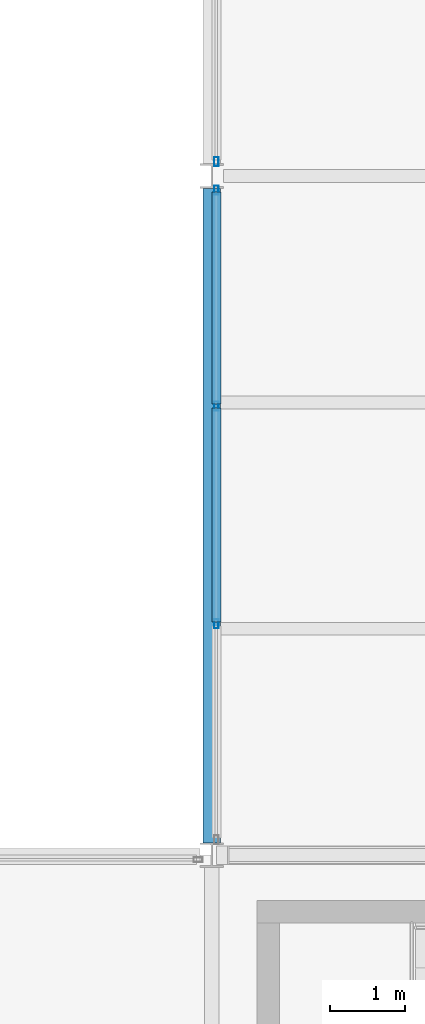
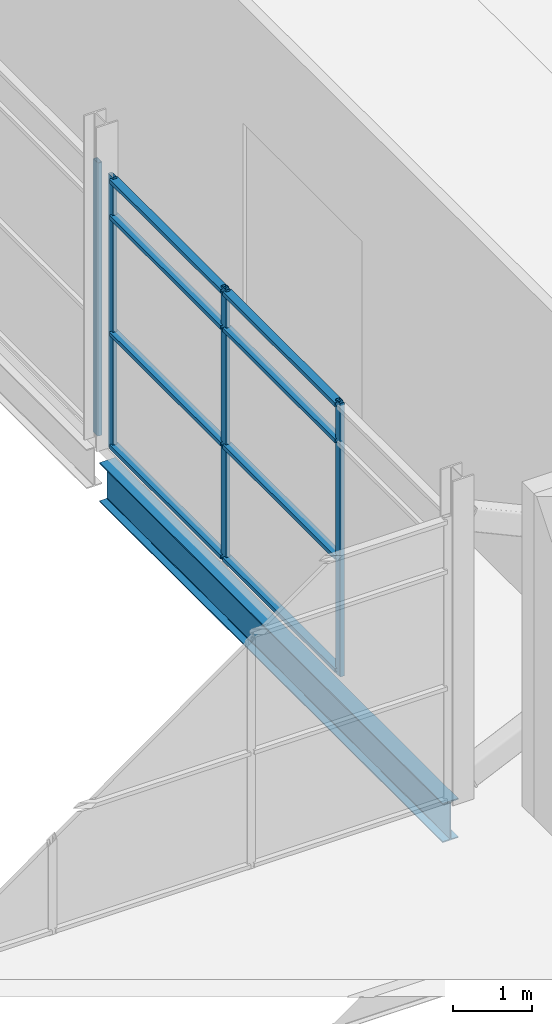
# One storey, part 50 of 112: 12 members, 1 beam, 2 elements without a shape of their own.
"""IFC4 building model written with IfcOpenShell, lengths in metres."""

import ifcopenshell
import ifcopenshell.guid

model = None  # the IFC model being written
_history = None  # IfcOwnerHistory: only IFC2X3 demands one
_inside = {}  # id of a spatial element -> (the spatial element, [elements in it])
_under = {}  # id of a project, library or spatial element -> (it, [spatial elements below it])
_declared = {}  # id of a project -> (the project, [libraries it declares])
_typed = {}  # id of a type object -> (the type object, [elements of that type])
_made_of = {}  # id of a material, layer set ... -> (it, [elements and type objects made of it])


def new_model(schema):
    """Start an empty IFC model of exactly this schema.

    Asked for "IFC4X3", IfcOpenShell would pick the latest addendum, in which some entities
    have other attributes; the version numbers below select the first issue.
    IFC2X3 requires an IfcOwnerHistory on every rooted entity: one is made here for all.
    """
    global model, _history
    if schema == "IFC4X3":
        model = ifcopenshell.file(schema_version=(4, 3, 0, 0))
    else:
        model = ifcopenshell.file(schema=schema)
    _inside.clear()
    _under.clear()
    _declared.clear()
    _typed.clear()
    _made_of.clear()
    _history = None
    if model.schema == "IFC2X3":
        org = make("IfcOrganization", Name="unknown")
        user = make(
            "IfcPersonAndOrganization",
            ThePerson=make("IfcPerson", FamilyName="unknown"),
            TheOrganization=org,
        )
        app = make(
            "IfcApplication",
            ApplicationDeveloper=org,
            Version="unknown",
            ApplicationFullName="unknown",
            ApplicationIdentifier="unknown",
        )
        _history = make(
            "IfcOwnerHistory",
            OwningUser=user,
            OwningApplication=app,
            ChangeAction="ADDED",
            CreationDate=0,
        )
    return model


def make(cls, **values):
    """One entity of the class cls with the attributes given. An attribute that is None is left unset."""
    return model.create_entity(
        cls, **{name: value for name, value in values.items() if value is not None}
    )


def rooted(cls, **values):
    """An entity with a GlobalId (a new one), such as an element, a storey or a relation."""
    return make(cls, GlobalId=ifcopenshell.guid.new(), OwnerHistory=_history, **values)


def si_unit(unit_type, name, prefix=None):
    """IfcSIUnit, for example si_unit("LENGTHUNIT", "METRE", prefix="MILLI")."""
    return make("IfcSIUnit", UnitType=unit_type, Prefix=prefix, Name=name)


def assignment(units):
    """IfcUnitAssignment: the units of a project."""
    return None if units is None else make("IfcUnitAssignment", Units=units)


def point(xyz):
    """IfcCartesianPoint."""
    return None if xyz is None else make("IfcCartesianPoint", Coordinates=xyz)


def direction(xyz):
    """IfcDirection."""
    return None if xyz is None else make("IfcDirection", DirectionRatios=xyz)


def frame(location, z_axis=None, x_axis=None):
    """IfcAxis2Placement3D, a coordinate frame: its origin and axes. An axis left out is left unset."""
    return make(
        "IfcAxis2Placement3D",
        Location=point(location),
        Axis=direction(z_axis),
        RefDirection=direction(x_axis),
    )


def frame_2d(location, x_axis=None):
    """IfcAxis2Placement2D, a coordinate frame in the plane: its origin and x axis."""
    return make(
        "IfcAxis2Placement2D", Location=point(location), RefDirection=direction(x_axis)
    )


def origin():
    """The frame at (0, 0, 0) with its axes left unset."""
    return frame((0.0, 0.0, 0.0))


def origin_2d():
    """The frame at (0, 0) in the plane with its x axis left unset."""
    return frame_2d((0.0, 0.0))


def place(relative_to, where):
    """IfcLocalPlacement: puts the frame where relative to a parent placement (None: the world)."""
    return make(
        "IfcLocalPlacement", PlacementRelTo=relative_to, RelativePlacement=where
    )


def context(
    kind, dimensions, precision=None, world=None, true_north=None, identifier=None
):
    """IfcGeometricRepresentationContext, for example the 3D "Model" context."""
    return make(
        "IfcGeometricRepresentationContext",
        ContextIdentifier=identifier,
        ContextType=kind,
        CoordinateSpaceDimension=dimensions,
        Precision=precision,
        WorldCoordinateSystem=world,
        TrueNorth=true_north,
    )


def subcontext(parent, identifier, kind, view, scale=None):
    """IfcGeometricRepresentationSubContext, for example "Body" below "Model"."""
    return make(
        "IfcGeometricRepresentationSubContext",
        ContextIdentifier=identifier,
        ContextType=kind,
        ParentContext=parent,
        TargetScale=scale,
        TargetView=view,
    )


def project(units=None, contexts=None):
    """IfcProject with its units and contexts."""
    return rooted(
        "IfcProject",
        Name="project",
        RepresentationContexts=contexts,
        UnitsInContext=assignment(units),
    )


def spatial(cls, under=None, at=None, **own):
    """A site, building, storey or space (cls), placed at a placement, below another one or the project."""
    s = rooted(cls, ObjectPlacement=at, **own)
    if under is not None:
        _under.setdefault(under.id(), (under, []))[1].append(s)
    return s


def profile(cls, at=None, kind="AREA", **sizes):
    """A parametric profile (cls). Its sizes go by their IFC names, for example OverallWidth=200.0."""
    return make(cls, ProfileType=kind, Position=at, **sizes)


def hollow_rectangle(**sizes):
    """IfcRectangleHollowProfileDef."""
    return profile("IfcRectangleHollowProfileDef", **sizes)


def i_section(**sizes):
    """IfcIShapeProfileDef."""
    return profile("IfcIShapeProfileDef", **sizes)


def extrude(swept, where, along, depth):
    """IfcExtrudedAreaSolid: the profile swept, set in the frame where, extruded along a direction by depth."""
    return make(
        "IfcExtrudedAreaSolid",
        SweptArea=swept,
        Position=where,
        ExtrudedDirection=direction(along),
        Depth=depth,
    )


def shape(context_of_items, identifier, shape_type, items):
    """IfcShapeRepresentation: the items that make up one representation, for example the "Body"."""
    return make(
        "IfcShapeRepresentation",
        ContextOfItems=context_of_items,
        RepresentationIdentifier=identifier,
        RepresentationType=shape_type,
        Items=items,
    )


def material(Name=None, Category=None):
    """IfcMaterial."""
    return make("IfcMaterial", Name=Name, Category=Category)


def layer(
    of_material, thickness, ventilated=None, Name=None, Category=None, Priority=None
):
    """IfcMaterialLayer: one layer of a wall or slab, of a material (None: an air gap)."""
    return make(
        "IfcMaterialLayer",
        Material=of_material,
        LayerThickness=thickness,
        IsVentilated=ventilated,
        Name=Name,
        Category=Category,
        Priority=Priority,
    )


def layer_set(layers, Name=None):
    """IfcMaterialLayerSet."""
    return make("IfcMaterialLayerSet", MaterialLayers=layers, LayerSetName=Name)


def material_profile(
    of_material, cross_section, Name=None, Category=None, Priority=None
):
    """IfcMaterialProfile: a cross section and its material."""
    return make(
        "IfcMaterialProfile",
        Name=Name,
        Material=of_material,
        Profile=cross_section,
        Priority=Priority,
        Category=Category,
    )


def profile_set(profiles, Name=None, composite=None):
    """IfcMaterialProfileSet."""
    return make(
        "IfcMaterialProfileSet",
        Name=Name,
        MaterialProfiles=profiles,
        CompositeProfile=composite,
    )


def made_of(thing, what):
    """Note that an element or type object is made of a material, layer set ...; save() writes the relation."""
    if what is not None:
        _made_of.setdefault(what.id(), (what, []))[1].append(thing)
    return thing


def type_object(cls, material=None, **own):
    """A type object (cls), such as IfcWallType, which elements share."""
    return made_of(rooted(cls, **own), material)


def element(
    cls,
    number,
    at=None,
    inside=None,
    cuts=None,
    type_object=None,
    material=None,
    context=None,
    identifier="Body",
    shape_type=None,
    held_by="IfcProductDefinitionShape",
    body=None,
    shapes=None,
    **own,
):
    """One element of the class cls, such as IfcWall. Its Tag is "e" and its number.

    at: its placement. inside: the storey or other place that contains it. cuts: it is an
    opening in that element (IfcRelVoidsElement). A single representation is given by context,
    identifier, shape_type and body (its items); several are given by shapes. held_by: the class
    of the entity that holds the representations. save() writes the other relations.
    """
    e = rooted(cls, Tag="e%d" % number, ObjectPlacement=at, **own)
    if body is not None:
        shapes = [shape(context, identifier, shape_type, body)]
    if shapes is not None:
        e.Representation = make(held_by, Representations=shapes)
    if inside is not None:
        _inside.setdefault(inside.id(), (inside, []))[1].append(e)
    if cuts is not None:
        rooted(
            "IfcRelVoidsElement", RelatingBuildingElement=cuts, RelatedOpeningElement=e
        )
    if type_object is not None:
        _typed.setdefault(type_object.id(), (type_object, []))[1].append(e)
    return made_of(e, material)


def aggregate(whole, parts):
    """IfcRelAggregates: a whole, such as a stair, and the parts it consists of."""
    return rooted("IfcRelAggregates", RelatingObject=whole, RelatedObjects=parts)


def save(model, path):
    """Write the relations noted so far, then the file.

    IfcRelAggregates (storeys below a building ...), IfcRelContainedInSpatialStructure (elements
    in a storey), IfcRelDefinesByType, IfcRelAssociatesMaterial and IfcRelDeclares: one each for
    every whole, place, type object, material and project.
    """
    for whole, parts in _under.values():
        aggregate(whole, parts)
    for where, things in _inside.values():
        rooted(
            "IfcRelContainedInSpatialStructure",
            RelatedElements=things,
            RelatingStructure=where,
        )
    for kind, things in _typed.values():
        rooted("IfcRelDefinesByType", RelatedObjects=things, RelatingType=kind)
    for what, things in _made_of.values():
        rooted("IfcRelAssociatesMaterial", RelatedObjects=things, RelatingMaterial=what)
    for by, libraries in _declared.values():
        rooted("IfcRelDeclares", RelatingContext=by, RelatedDefinitions=libraries)
    model.write(path)


model = new_model("IFC4")

# Units and contexts
model_context = context("Model", 3, precision=1e-05, world=origin(), true_north=direction((0.0, 1.0)))
body_context = subcontext(model_context, "Body", "Model", "MODEL_VIEW")
ifc_project = project(units=[si_unit("LENGTHUNIT", "METRE"), si_unit("AREAUNIT", "SQUARE_METRE"), si_unit("VOLUMEUNIT", "CUBIC_METRE"), si_unit("PLANEANGLEUNIT", "RADIAN"), si_unit("MASSUNIT", "GRAM", prefix="KILO")], contexts=[model_context])

# Site, building, storey
site_placement = place(None, origin())
site = spatial("IfcSite", under=ifc_project, at=site_placement, CompositionType="ELEMENT")
building_placement = place(site_placement, origin())
building = spatial("IfcBuilding", under=site, at=building_placement, Name="Shorebreak Coast Museum", CompositionType="ELEMENT")
storey_placement = place(building_placement, frame((0.0, 0.0, 6.0)))
storey = spatial("IfcBuildingStorey", under=building, at=storey_placement, Name="L01", CompositionType="ELEMENT", Elevation=6.0)

# Beam
ifc_material_1 = material(Name="Steel Grade 300", Category="steel")
ifc_material_profile_1 = material_profile(ifc_material_1, i_section(OverallWidth=0.22802734375, OverallDepth=0.60693359375, WebThickness=0.01123046875, FlangeThickness=0.017333984375, FilletRadius=0.013916015625, at=origin_2d()), Name="610UB113")
ifc_profile_set_1 = profile_set([ifc_material_profile_1], Name="Steel Grade 300")
beam_type = type_object("IfcBeamType", Name="Floor girder north-south 610UB113", PredefinedType="BEAM", material=ifc_profile_set_1)
beam_placement = place(storey_placement, frame((108.0, 63.16357421875, -0.478515625), z_axis=(0.0, 1.0, 0.0), x_axis=(-1.0, 0.0, 0.0)))
element("IfcBeam", 1, at=beam_placement, inside=storey, type_object=beam_type, Name="Floor girder north-south L01 13H", PredefinedType="BEAM", context=body_context, shape_type="SweptSolid", body=[
    extrude(i_section(OverallWidth=0.22802734375, OverallDepth=0.60693359375, WebThickness=0.01123046875, FlangeThickness=0.017333984375, FilletRadius=0.013916015625, at=origin_2d()), origin(), (0.0, 0.0, 1.0), 8.6728515625),
])

# Curtain wall, members
ifc_material_2 = material(Name="Aluminium", Category="aluminium")
ifc_layer = layer(ifc_material_2, 0.1201171875)
ifc_layer_set = layer_set([ifc_layer], Name="Aluminium")
curtain_wall_type = type_object("IfcCurtainWallType", Name="Atrium fire screen", PredefinedType="NOTDEFINED", material=ifc_layer_set)
curtain_wall_1_placement = place(storey_placement, origin())
curtain_wall_1 = element("IfcCurtainWall", 2, at=curtain_wall_1_placement, inside=storey, type_object=curtain_wall_type, Name="Atrium screen L01 E 14", PredefinedType="NOTDEFINED")
ifc_material_3 = material(Name="Aluminium", Category="aluminium")
ifc_material_profile_2 = material_profile(ifc_material_3, hollow_rectangle(XDim=0.06005859375, YDim=0.1201171875, WallThickness=0.00341796875, at=origin_2d()), Name="AL 120x60 RHS")
ifc_profile_set_2 = profile_set([ifc_material_profile_2], Name="Aluminium")
member_type_1 = type_object("IfcMemberType", Name="Screen mullion 50 x 120", PredefinedType="MULLION", material=ifc_profile_set_2)
member_1_placement = place(storey_placement, frame((108.06005859375, 66.06396484375, 0.0), z_axis=(0.0, 0.0, 1.0), x_axis=(-1.0, 0.0, 0.0)))
member_1 = element("IfcMember", 3, at=member_1_placement, type_object=member_type_1, Name="CW6 mullion 2", PredefinedType="MULLION", context=body_context, shape_type="SweptSolid", body=[
    extrude(hollow_rectangle(XDim=0.06005859375, YDim=0.1201171875, WallThickness=0.00341796875, at=origin_2d()), origin(), (0.0, 0.0, 1.0), 4.218017578125),
])
member_2_placement = place(storey_placement, frame((108.06005859375, 68.9501953125, 0.0), z_axis=(0.0, 0.0, 1.0), x_axis=(-1.0, 0.0, 0.0)))
member_2 = element("IfcMember", 4, at=member_2_placement, type_object=member_type_1, Name="CW6 mullion 3", PredefinedType="MULLION", context=body_context, shape_type="SweptSolid", body=[
    extrude(hollow_rectangle(XDim=0.06005859375, YDim=0.1201171875, WallThickness=0.00341796875, at=origin_2d()), origin(), (0.0, 0.0, 1.0), 4.218017578125),
])
member_3_placement = place(storey_placement, frame((108.06005859375, 71.811279296875, 0.0), z_axis=(0.0, 0.0, 1.0), x_axis=(-1.0, 0.0, 0.0)))
member_3 = element("IfcMember", 5, at=member_3_placement, type_object=member_type_1, Name="CW6 mullion 4", PredefinedType="MULLION", context=body_context, shape_type="SweptSolid", body=[
    extrude(hollow_rectangle(XDim=0.06005859375, YDim=0.1201171875, WallThickness=0.00341796875, at=origin_2d()), origin(), (0.0, 0.0, 1.0), 4.218017578125),
])

# Curtain wall, member
curtain_wall_2_placement = place(storey_placement, origin())
curtain_wall_2 = element("IfcCurtainWall", 6, at=curtain_wall_2_placement, inside=storey, type_object=curtain_wall_type, Name="Atrium screen L01 E 15", PredefinedType="NOTDEFINED")
member_4_placement = place(storey_placement, frame((108.06005859375, 72.188720703125, 0.0), z_axis=(0.0, 0.0, 1.0), x_axis=(-1.0, 0.0, 0.0)))
member_4 = element("IfcMember", 7, at=member_4_placement, type_object=member_type_1, Name="CW4 mullion 1", PredefinedType="MULLION", context=body_context, shape_type="SweptSolid", body=[
    extrude(hollow_rectangle(XDim=0.06005859375, YDim=0.1201171875, WallThickness=0.00341796875, at=origin_2d()), origin(), (0.0, 0.0, 1.0), 4.212890625),
])
aggregate(curtain_wall_2, [member_4])

# Member
ifc_material_4 = material(Name="Aluminium", Category="aluminium")
ifc_material_profile_3 = material_profile(ifc_material_4, hollow_rectangle(XDim=0.1201171875, YDim=0.06005859375, WallThickness=0.00341796875, at=origin_2d()), Name="AL 60x120 RHS")
ifc_profile_set_3 = profile_set([ifc_material_profile_3], Name="Aluminium")
member_type_2 = type_object("IfcMemberType", Name="Screen transom 120 x 50", PredefinedType="USERDEFINED", material=ifc_profile_set_3)
member_5_placement = place(storey_placement, frame((108.06005859375, 66.0888671875, 0.06005859375), z_axis=(0.0, 1.0, 0.0), x_axis=(-1.0, 0.0, 0.0)))
member_5 = element("IfcMember", 8, at=member_5_placement, type_object=member_type_2, Name="CW6 transom 2.1", ObjectType="TRANSOM", PredefinedType="USERDEFINED", context=body_context, shape_type="SweptSolid", body=[
    extrude(hollow_rectangle(XDim=0.1201171875, YDim=0.06005859375, WallThickness=0.00341796875, at=origin_2d()), origin(), (0.0, 0.0, 1.0), 2.836181640625),
])

member_6_placement = place(storey_placement, frame((108.06005859375, 66.0888671875, 1.800048828125), z_axis=(0.0, 1.0, 0.0), x_axis=(-1.0, 0.0, 0.0)))
member_6 = element("IfcMember", 9, at=member_6_placement, type_object=member_type_2, Name="CW6 transom 2.2", ObjectType="TRANSOM", PredefinedType="USERDEFINED", context=body_context, shape_type="SweptSolid", body=[
    extrude(hollow_rectangle(XDim=0.1201171875, YDim=0.06005859375, WallThickness=0.00341796875, at=origin_2d()), origin(), (0.0, 0.0, 1.0), 2.836181640625),
])

member_7_placement = place(storey_placement, frame((108.06005859375, 66.0888671875, 3.60009765625), z_axis=(0.0, 1.0, 0.0), x_axis=(-1.0, 0.0, 0.0)))
member_7 = element("IfcMember", 10, at=member_7_placement, type_object=member_type_2, Name="CW6 transom 2.3", ObjectType="TRANSOM", PredefinedType="USERDEFINED", context=body_context, shape_type="SweptSolid", body=[
    extrude(hollow_rectangle(XDim=0.1201171875, YDim=0.06005859375, WallThickness=0.00341796875, at=origin_2d()), origin(), (0.0, 0.0, 1.0), 2.836181640625),
])

member_8_placement = place(storey_placement, frame((108.06005859375, 66.0888671875, 4.157958984375), z_axis=(0.0, 1.0, 0.0), x_axis=(-1.0, 0.0, 0.0)))
member_8 = element("IfcMember", 11, at=member_8_placement, type_object=member_type_2, Name="CW6 transom 2.4", ObjectType="TRANSOM", PredefinedType="USERDEFINED", context=body_context, shape_type="SweptSolid", body=[
    extrude(hollow_rectangle(XDim=0.1201171875, YDim=0.06005859375, WallThickness=0.00341796875, at=origin_2d()), origin(), (0.0, 0.0, 1.0), 2.836181640625),
])

member_9_placement = place(storey_placement, frame((108.06005859375, 68.97509765625, 0.06005859375), z_axis=(0.0, 1.0, 0.0), x_axis=(-1.0, 0.0, 0.0)))
member_9 = element("IfcMember", 12, at=member_9_placement, type_object=member_type_2, Name="CW6 transom 3.1", ObjectType="TRANSOM", PredefinedType="USERDEFINED", context=body_context, shape_type="SweptSolid", body=[
    extrude(hollow_rectangle(XDim=0.1201171875, YDim=0.06005859375, WallThickness=0.00341796875, at=origin_2d()), origin(), (0.0, 0.0, 1.0), 2.811279296875),
])

member_10_placement = place(storey_placement, frame((108.06005859375, 68.97509765625, 1.800048828125), z_axis=(0.0, 1.0, 0.0), x_axis=(-1.0, 0.0, 0.0)))
member_10 = element("IfcMember", 13, at=member_10_placement, type_object=member_type_2, Name="CW6 transom 3.2", ObjectType="TRANSOM", PredefinedType="USERDEFINED", context=body_context, shape_type="SweptSolid", body=[
    extrude(hollow_rectangle(XDim=0.1201171875, YDim=0.06005859375, WallThickness=0.00341796875, at=origin_2d()), origin(), (0.0, 0.0, 1.0), 2.811279296875),
])

member_11_placement = place(storey_placement, frame((108.06005859375, 68.97509765625, 3.60009765625), z_axis=(0.0, 1.0, 0.0), x_axis=(-1.0, 0.0, 0.0)))
member_11 = element("IfcMember", 14, at=member_11_placement, type_object=member_type_2, Name="CW6 transom 3.3", ObjectType="TRANSOM", PredefinedType="USERDEFINED", context=body_context, shape_type="SweptSolid", body=[
    extrude(hollow_rectangle(XDim=0.1201171875, YDim=0.06005859375, WallThickness=0.00341796875, at=origin_2d()), origin(), (0.0, 0.0, 1.0), 2.811279296875),
])

member_12_placement = place(storey_placement, frame((108.06005859375, 68.97509765625, 4.157958984375), z_axis=(0.0, 1.0, 0.0), x_axis=(-1.0, 0.0, 0.0)))
member_12 = element("IfcMember", 15, at=member_12_placement, type_object=member_type_2, Name="CW6 transom 3.4", ObjectType="TRANSOM", PredefinedType="USERDEFINED", context=body_context, shape_type="SweptSolid", body=[
    extrude(hollow_rectangle(XDim=0.1201171875, YDim=0.06005859375, WallThickness=0.00341796875, at=origin_2d()), origin(), (0.0, 0.0, 1.0), 2.811279296875),
])

aggregate(curtain_wall_1, [member_1, member_2, member_3, member_5, member_6, member_7, member_8, member_9, member_10, member_11, member_12])

save(model, "model.ifc")
